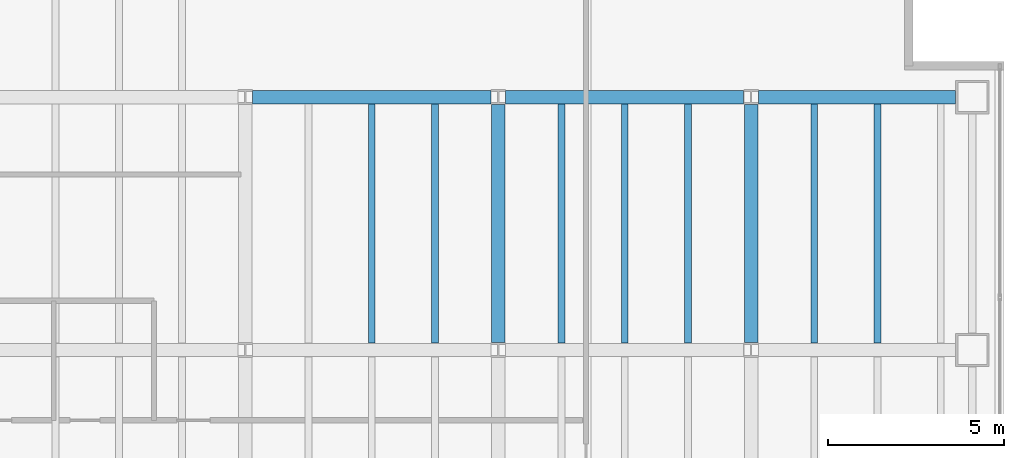
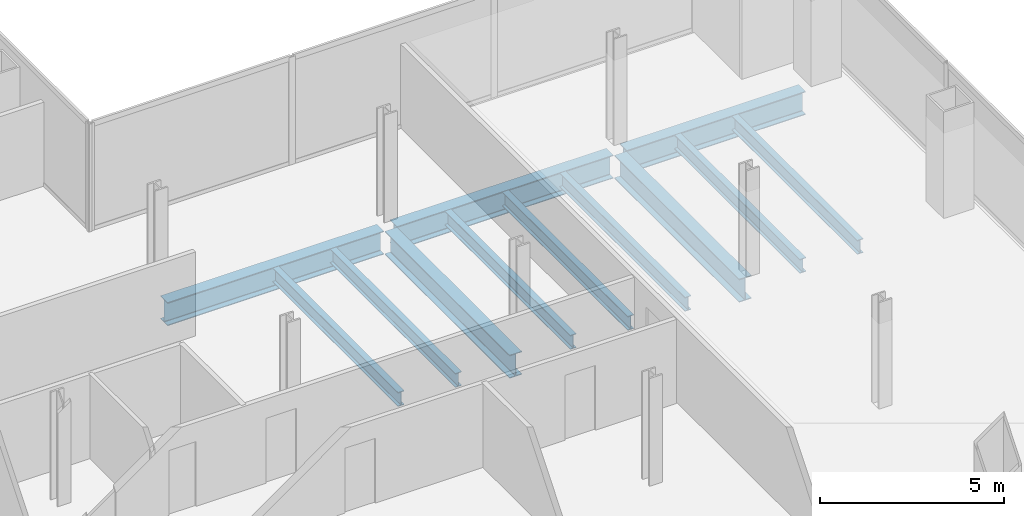
# One storey, part 11 of 24: 12 beams.
"""IFC4 building model written with IfcOpenShell, lengths in metres."""

from ifc_helpers import new_model, si_unit, direction, frame, origin, origin_2d, place, context, subcontext, project, spatial, i_section, extrude, material, material_profile, profile_set, type_object, element, save


model = new_model("IFC4")

# Units and contexts
model_context = context("Model", 3, precision=1e-05, world=origin(), true_north=direction((0.0, 1.0)))
body_context = subcontext(model_context, "Body", "Model", "MODEL_VIEW")
ifc_project = project(units=[si_unit("LENGTHUNIT", "METRE"), si_unit("AREAUNIT", "SQUARE_METRE"), si_unit("VOLUMEUNIT", "CUBIC_METRE"), si_unit("PLANEANGLEUNIT", "RADIAN"), si_unit("MASSUNIT", "GRAM", prefix="KILO")], contexts=[model_context])

# Site, building, storey
site_placement = place(None, origin())
site = spatial("IfcSite", under=ifc_project, at=site_placement, CompositionType="ELEMENT")
building_placement = place(site_placement, origin())
building = spatial("IfcBuilding", under=site, at=building_placement, Name="Cobrela Telecom Tower", CompositionType="ELEMENT")
storey_placement = place(building_placement, frame((0.0, 0.0, 85.050048828125)))
storey = spatial("IfcBuildingStorey", under=building, at=storey_placement, Name="L21", CompositionType="ELEMENT", Elevation=85.050048828125)

# Beams
ifc_material = material(Name="Steel ASTM A992 Grade 50", Category="steel")
ifc_material_profile_1 = material_profile(ifc_material, i_section(OverallWidth=0.381103515625, OverallDepth=0.77197265625, WebThickness=0.0166015625, FlangeThickness=0.027099609375, FilletRadius=0.01904296875, at=origin_2d()), Name="W30X173")
ifc_profile_set_1 = profile_set([ifc_material_profile_1], Name="Steel ASTM A992 Grade 50")
beam_type_1 = type_object("IfcBeamType", Name="BM-GIRD-04", PredefinedType="USERDEFINED", material=ifc_profile_set_1)
for number, where, z_axis, x_axis, name in (
    (1, (29.009521484375, 21.60009765625, -0.666015625), (1.0, 0.0, 0.0), (0.0, 1.0, 0.0), "L21 Primary Girder X20"),
    (2, (36.20947265625, 21.60009765625, -0.666015625), (1.0, 0.0, 0.0), (0.0, 1.0, 0.0), "L21 Primary Girder X21"),
):
    element("IfcBeam", number, at=place(storey_placement, frame(where, z_axis=z_axis, x_axis=x_axis)), inside=storey, type_object=beam_type_1, Name=name, ObjectType="GIRDER", PredefinedType="USERDEFINED", context=body_context, shape_type="SweptSolid", body=[
        extrude(i_section(OverallWidth=0.381103515625, OverallDepth=0.77197265625, WebThickness=0.0166015625, FlangeThickness=0.027099609375, FilletRadius=0.01904296875, at=origin_2d()), origin(), (0.0, 0.0, 1.0), 6.781005859375),
    ])
beam_placement = place(storey_placement, frame((43.409423828125, 21.60009765625, -0.666015625), z_axis=(1.0, 0.0, 0.0), x_axis=(0.0, 1.0, 0.0)))
element("IfcBeam", 3, at=beam_placement, inside=storey, type_object=beam_type_1, Name="L21 Primary Girder X22", ObjectType="GIRDER", PredefinedType="USERDEFINED", context=body_context, shape_type="SweptSolid", body=[
    extrude(i_section(OverallWidth=0.381103515625, OverallDepth=0.77197265625, WebThickness=0.0166015625, FlangeThickness=0.027099609375, FilletRadius=0.01904296875, at=origin_2d()), origin(), (0.0, 0.0, 1.0), 5.610595703125),
])
for number, where, z_axis, x_axis, name in (
    (4, (36.0, 14.609619140625, -0.666015625), (0.0, 1.0, 0.0), (-1.0, 0.0, 0.0), "L21 Primary Girder Y52"),
    (5, (43.199951171875, 14.609619140625, -0.666015625), (0.0, 1.0, 0.0), (-1.0, 0.0, 0.0), "L21 Primary Girder Y55"),
):
    element("IfcBeam", number, at=place(storey_placement, frame(where, z_axis=z_axis, x_axis=x_axis)), inside=storey, type_object=beam_type_1, Name=name, ObjectType="GIRDER", PredefinedType="USERDEFINED", context=body_context, shape_type="SweptSolid", body=[
        extrude(i_section(OverallWidth=0.381103515625, OverallDepth=0.77197265625, WebThickness=0.0166015625, FlangeThickness=0.027099609375, FilletRadius=0.01904296875, at=origin_2d()), origin(), (0.0, 0.0, 1.0), 6.78076171875),
    ])
ifc_material_profile_2 = material_profile(ifc_material, i_section(OverallWidth=0.193115234375, OverallDepth=0.467041015625, WebThickness=0.011474609375, FlangeThickness=0.01904296875, FilletRadius=0.012939453125, at=origin_2d()), Name="W18X65")
ifc_profile_set_2 = profile_set([ifc_material_profile_2], Name="Steel ASTM A992 Grade 50")
beam_type_2 = type_object("IfcBeamType", Name="BM-JOIST-03", PredefinedType="JOIST", material=ifc_profile_set_2)
for number, where, z_axis, x_axis, name in (
    (6, (32.39990234375, 14.595458984375, -0.513427734375), (0.0, 1.0, 0.0), (-1.0, 0.0, 0.0), "L21 Secondary Composite Floor Beam J46"),
    (7, (34.199951171875, 14.595458984375, -0.513427734375), (0.0, 1.0, 0.0), (-1.0, 0.0, 0.0), "L21 Secondary Composite Floor Beam J49"),
    (8, (37.800048828125, 14.595458984375, -0.513427734375), (0.0, 1.0, 0.0), (-1.0, 0.0, 0.0), "L21 Secondary Composite Floor Beam J52"),
    (9, (39.60009765625, 14.595458984375, -0.513427734375), (0.0, 1.0, 0.0), (-1.0, 0.0, 0.0), "L21 Secondary Composite Floor Beam J55"),
    (10, (41.39990234375, 14.595458984375, -0.513427734375), (0.0, 1.0, 0.0), (-1.0, 0.0, 0.0), "L21 Secondary Composite Floor Beam J58"),
    (11, (45.0, 14.595458984375, -0.513427734375), (0.0, 1.0, 0.0), (-1.0, 0.0, 0.0), "L21 Secondary Composite Floor Beam J60"),
    (12, (46.800048828125, 14.595458984375, -0.513427734375), (0.0, 1.0, 0.0), (-1.0, 0.0, 0.0), "L21 Secondary Composite Floor Beam J62"),
):
    element("IfcBeam", number, at=place(storey_placement, frame(where, z_axis=z_axis, x_axis=x_axis)), inside=storey, type_object=beam_type_2, Name=name, PredefinedType="JOIST", context=body_context, shape_type="SweptSolid", body=[
        extrude(i_section(OverallWidth=0.193115234375, OverallDepth=0.467041015625, WebThickness=0.011474609375, FlangeThickness=0.01904296875, FilletRadius=0.012939453125, at=origin_2d()), origin(), (0.0, 0.0, 1.0), 6.80908203125),
    ])

save(model, "model.ifc")
